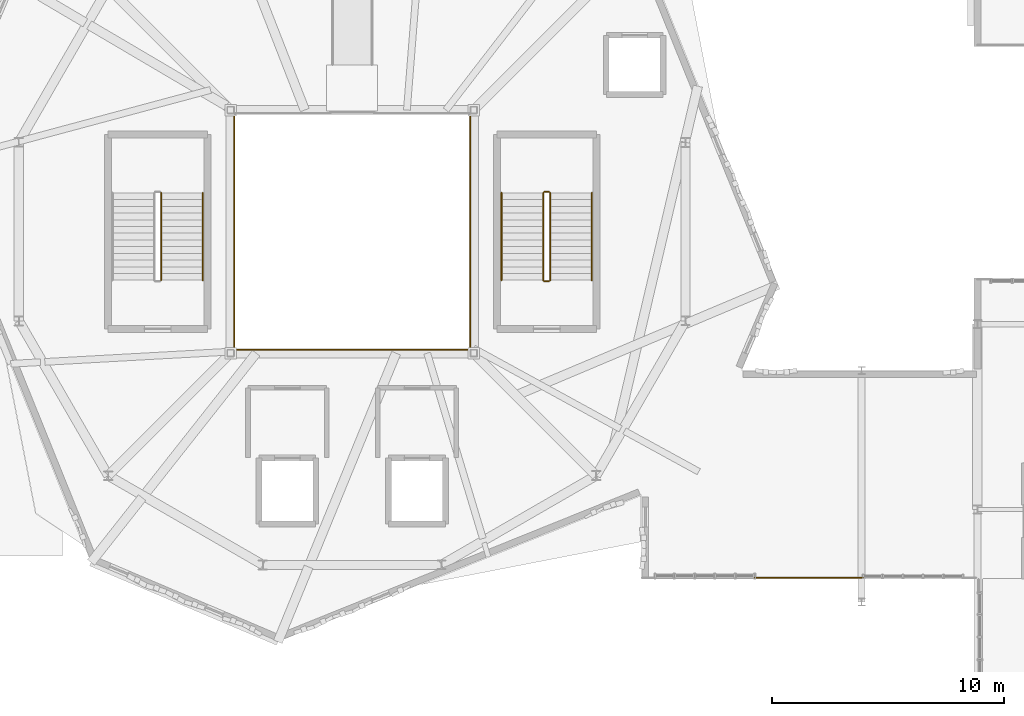
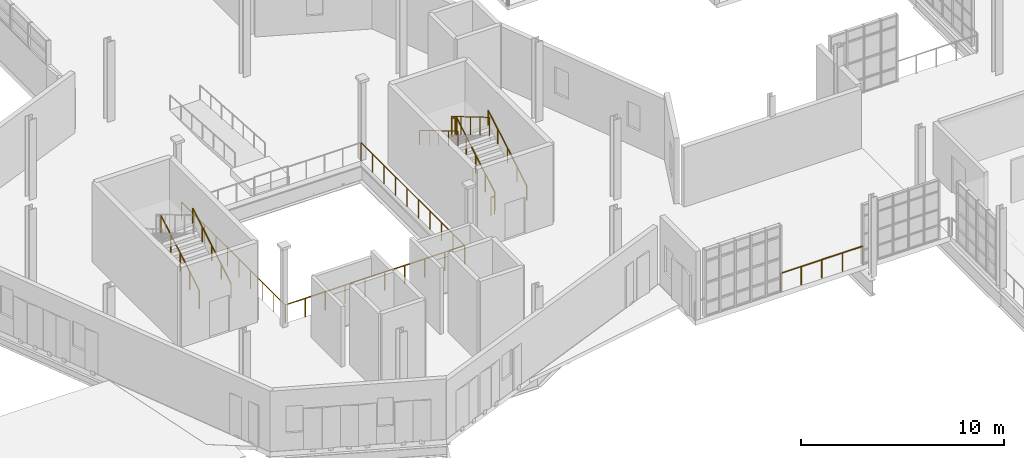
# One storey, part 114 of 122: 12 railings.
"""IFC4 building model written with IfcOpenShell, lengths in metres."""

from ifc_helpers import new_model, si_unit, direction, frame, origin, origin_2d, place, context, subcontext, project, spatial, circle, extrude, material, type_object, element, save


model = new_model("IFC4")

# Units and contexts
model_context = context("Model", 3, precision=1e-05, world=origin(), true_north=direction((0.0, 1.0)))
body_context = subcontext(model_context, "Body", "Model", "MODEL_VIEW")
ifc_project = project(units=[si_unit("LENGTHUNIT", "METRE"), si_unit("AREAUNIT", "SQUARE_METRE"), si_unit("VOLUMEUNIT", "CUBIC_METRE"), si_unit("PLANEANGLEUNIT", "RADIAN"), si_unit("MASSUNIT", "GRAM", prefix="KILO"), si_unit("THERMODYNAMICTEMPERATUREUNIT", "KELVIN"), si_unit("POWERUNIT", "WATT")], contexts=[model_context])

# Site, building, storey
site_placement = place(None, origin())
site = spatial("IfcSite", under=ifc_project, at=site_placement, CompositionType="ELEMENT")
building_placement = place(site_placement, origin())
building = spatial("IfcBuilding", under=site, at=building_placement, Name="Zelmaris Science Centre", CompositionType="ELEMENT")
storey_placement = place(building_placement, frame((0.0, 0.0, 10.800048828125)))
storey = spatial("IfcBuildingStorey", under=building, at=storey_placement, Name="L02", CompositionType="ELEMENT", Elevation=10.800048828125)

# Railings
ifc_material = material(Name="Architectural bronze alloy C28000")
railing_type_1 = type_object("IfcRailingType", Name="Balustrade GD-01 H1120", PredefinedType="BALUSTRADE", material=ifc_material)
railing_1_placement = place(storey_placement, frame((75.89990234375, 30.89990234375, 0.0)))
element("IfcRailing", 1, at=railing_1_placement, inside=storey, type_object=railing_type_1, Name="L02 Atrium void balustrade 10", PredefinedType="BALUSTRADE", context=body_context, shape_type="SweptSolid", body=[
    extrude(circle(Radius=0.02392578125, at=origin_2d()), frame((0.0, 0.0, 1.09619140625), z_axis=(1.0, 0.0, 0.0), x_axis=(0.0, 1.0, 0.0)), (0.0, 0.0, 1.0), 10.2001953125),
    extrude(circle(Radius=0.02099609375, at=origin_2d()), origin(), (0.0, 0.0, 1.0), 1.072021484375),
    extrude(circle(Radius=0.02099609375, at=origin_2d()), frame((1.13330078125, 0.0, 0.0)), (0.0, 0.0, 1.0), 1.072021484375),
    extrude(circle(Radius=0.02099609375, at=origin_2d()), frame((2.2666015625, 0.0, 0.0)), (0.0, 0.0, 1.0), 1.072021484375),
    extrude(circle(Radius=0.02099609375, at=origin_2d()), frame((3.400146484375, 0.0, 0.0)), (0.0, 0.0, 1.0), 1.072021484375),
    extrude(circle(Radius=0.02099609375, at=origin_2d()), frame((4.533447265625, 0.0, 0.0)), (0.0, 0.0, 1.0), 1.072021484375),
    extrude(circle(Radius=0.02099609375, at=origin_2d()), frame((5.666748046875, 0.0, 0.0)), (0.0, 0.0, 1.0), 1.072021484375),
    extrude(circle(Radius=0.02099609375, at=origin_2d()), frame((6.800048828125, 0.0, 0.0)), (0.0, 0.0, 1.0), 1.072021484375),
    extrude(circle(Radius=0.02099609375, at=origin_2d()), frame((7.93359375, 0.0, 0.0)), (0.0, 0.0, 1.0), 1.072021484375),
    extrude(circle(Radius=0.02099609375, at=origin_2d()), frame((9.06689453125, 0.0, 0.0)), (0.0, 0.0, 1.0), 1.072021484375),
    extrude(circle(Radius=0.02099609375, at=origin_2d()), frame((10.2001953125, 0.0, 0.0)), (0.0, 0.0, 1.0), 1.072021484375),
])
railing_2_placement = place(storey_placement, frame((86.10009765625, 30.89990234375, 0.0)))
element("IfcRailing", 2, at=railing_2_placement, inside=storey, type_object=railing_type_1, Name="L02 Atrium void balustrade 11", PredefinedType="BALUSTRADE", context=body_context, shape_type="SweptSolid", body=[
    extrude(circle(Radius=0.02392578125, at=origin_2d()), frame((0.0, 0.0, 1.09619140625), z_axis=(0.0, 1.0, 0.0), x_axis=(-1.0, 0.0, 0.0)), (0.0, 0.0, 1.0), 10.2001953125),
    extrude(circle(Radius=0.02099609375, at=origin_2d()), origin(), (0.0, 0.0, 1.0), 1.072021484375),
    extrude(circle(Radius=0.02099609375, at=origin_2d()), frame((0.0, 1.13330078125, 0.0)), (0.0, 0.0, 1.0), 1.072021484375),
    extrude(circle(Radius=0.02099609375, at=origin_2d()), frame((0.0, 2.2666015625, 0.0)), (0.0, 0.0, 1.0), 1.072021484375),
    extrude(circle(Radius=0.02099609375, at=origin_2d()), frame((0.0, 3.400146484375, 0.0)), (0.0, 0.0, 1.0), 1.072021484375),
    extrude(circle(Radius=0.02099609375, at=origin_2d()), frame((0.0, 4.533447265625, 0.0)), (0.0, 0.0, 1.0), 1.072021484375),
    extrude(circle(Radius=0.02099609375, at=origin_2d()), frame((0.0, 5.666748046875, 0.0)), (0.0, 0.0, 1.0), 1.072021484375),
    extrude(circle(Radius=0.02099609375, at=origin_2d()), frame((0.0, 6.800048828125, 0.0)), (0.0, 0.0, 1.0), 1.072021484375),
    extrude(circle(Radius=0.02099609375, at=origin_2d()), frame((0.0, 7.93359375, 0.0)), (0.0, 0.0, 1.0), 1.072021484375),
    extrude(circle(Radius=0.02099609375, at=origin_2d()), frame((0.0, 9.06689453125, 0.0)), (0.0, 0.0, 1.0), 1.072021484375),
    extrude(circle(Radius=0.02099609375, at=origin_2d()), frame((0.0, 10.2001953125, 0.0)), (0.0, 0.0, 1.0), 1.072021484375),
])
railing_3_placement = place(storey_placement, frame((75.89990234375, 41.10009765625, 0.0)))
element("IfcRailing", 3, at=railing_3_placement, inside=storey, type_object=railing_type_1, Name="L02 Atrium void balustrade 14", PredefinedType="BALUSTRADE", context=body_context, shape_type="SweptSolid", body=[
    extrude(circle(Radius=0.02392578125, at=origin_2d()), frame((0.0, 0.0, 1.09619140625), z_axis=(0.0, -1.0, 0.0), x_axis=(1.0, 0.0, 0.0)), (0.0, 0.0, 1.0), 10.2001953125),
    extrude(circle(Radius=0.02099609375, at=origin_2d()), origin(), (0.0, 0.0, 1.0), 1.072021484375),
    extrude(circle(Radius=0.02099609375, at=origin_2d()), frame((0.0, -1.13330078125, 0.0)), (0.0, 0.0, 1.0), 1.072021484375),
    extrude(circle(Radius=0.02099609375, at=origin_2d()), frame((0.0, -2.2666015625, 0.0)), (0.0, 0.0, 1.0), 1.072021484375),
    extrude(circle(Radius=0.02099609375, at=origin_2d()), frame((0.0, -3.400146484375, 0.0)), (0.0, 0.0, 1.0), 1.072021484375),
    extrude(circle(Radius=0.02099609375, at=origin_2d()), frame((0.0, -4.533447265625, 0.0)), (0.0, 0.0, 1.0), 1.072021484375),
    extrude(circle(Radius=0.02099609375, at=origin_2d()), frame((0.0, -5.666748046875, 0.0)), (0.0, 0.0, 1.0), 1.072021484375),
    extrude(circle(Radius=0.02099609375, at=origin_2d()), frame((0.0, -6.800048828125, 0.0)), (0.0, 0.0, 1.0), 1.072021484375),
    extrude(circle(Radius=0.02099609375, at=origin_2d()), frame((0.0, -7.93359375, 0.0)), (0.0, 0.0, 1.0), 1.072021484375),
    extrude(circle(Radius=0.02099609375, at=origin_2d()), frame((0.0, -9.06689453125, 0.0)), (0.0, 0.0, 1.0), 1.072021484375),
    extrude(circle(Radius=0.02099609375, at=origin_2d()), frame((0.0, -10.2001953125, 0.0)), (0.0, 0.0, 1.0), 1.072021484375),
])
railing_4_placement = place(storey_placement, frame((103.056640625, 21.06005859375, 0.0)))
element("IfcRailing", 4, at=railing_4_placement, inside=storey, type_object=railing_type_1, Name="L02 Perimeter safety balustrade 158", PredefinedType="BALUSTRADE", context=body_context, shape_type="SweptSolid", body=[
    extrude(circle(Radius=0.02392578125, at=origin_2d()), frame((0.0, 0.0, 1.09619140625), z_axis=(-1.0, 0.0, 0.0), x_axis=(0.0, -1.0, 0.0)), (0.0, 0.0, 1.0), 4.67333984375),
    extrude(circle(Radius=0.02099609375, at=origin_2d()), origin(), (0.0, 0.0, 1.0), 1.072021484375),
    extrude(circle(Radius=0.02099609375, at=origin_2d()), frame((-1.16845703125, 0.0, 0.0)), (0.0, 0.0, 1.0), 1.072021484375),
    extrude(circle(Radius=0.02099609375, at=origin_2d()), frame((-2.336669921875, 0.0, 0.0)), (0.0, 0.0, 1.0), 1.072021484375),
    extrude(circle(Radius=0.02099609375, at=origin_2d()), frame((-3.5048828125, 0.0, 0.0)), (0.0, 0.0, 1.0), 1.072021484375),
    extrude(circle(Radius=0.02099609375, at=origin_2d()), frame((-4.67333984375, 0.0, 0.0)), (0.0, 0.0, 1.0), 1.072021484375),
])
for number, where, name in (
    (5, (72.75, 33.89990234375, 0.17138671875), "L02 ST-1 stair guard 1"),
    (6, (89.550048828125, 33.89990234375, 0.17138671875), "L02 ST-2 stair guard 1"),
):
    element("IfcRailing", number, at=place(storey_placement, frame(where)), inside=storey, type_object=railing_type_1, Name=name, PredefinedType="BALUSTRADE", context=body_context, shape_type="SweptSolid", body=[
        extrude(circle(Radius=0.02392578125, at=origin_2d()), frame((0.0, 0.0, 1.076171875), z_axis=(0.0, 0.860848830602, 0.508860777473), x_axis=(-1.0, 0.0, 0.0)), (0.0, 0.0, 1.0), 4.37939453125),
        extrude(circle(Radius=0.02099609375, at=origin_2d()), origin(), (0.0, 0.0, 1.0), 1.052001953125),
        extrude(circle(Radius=0.02099609375, at=origin_2d()), frame((0.0, 0.9423828125, 0.55712890625)), (0.0, 0.0, 1.0), 1.052001953125),
        extrude(circle(Radius=0.02099609375, at=origin_2d()), frame((0.0, 1.885009765625, 1.1142578125)), (0.0, 0.0, 1.0), 1.052001953125),
        extrude(circle(Radius=0.02099609375, at=origin_2d()), frame((0.0, 2.82763671875, 1.67138671875)), (0.0, 0.0, 1.0), 1.052001953125),
        extrude(circle(Radius=0.02099609375, at=origin_2d()), frame((0.0, 3.77001953125, 2.228515625)), (0.0, 0.0, 1.0), 1.052001953125),
    ])
railing_5_placement = place(storey_placement, frame((89.5, 37.719970703125, 2.39990234375)))
element("IfcRailing", 7, at=railing_5_placement, inside=storey, type_object=railing_type_1, Name="L02 ST-2 stair guard 2", PredefinedType="BALUSTRADE", context=body_context, shape_type="SweptSolid", body=[
    extrude(circle(Radius=0.02392578125, at=origin_2d()), frame((0.0, 0.0, 1.076171875), z_axis=(-1.0, 0.0, 0.0), x_axis=(0.0, -1.0, 0.0)), (0.0, 0.0, 1.0), 0.199951171875),
    extrude(circle(Radius=0.02099609375, at=origin_2d()), origin(), (0.0, 0.0, 1.0), 1.052001953125),
    extrude(circle(Radius=0.02099609375, at=origin_2d()), frame((-0.199951171875, 0.0, 0.0)), (0.0, 0.0, 1.0), 1.052001953125),
])
railing_6_placement = place(storey_placement, frame((89.25, 37.669921875, 2.5712890625)))
element("IfcRailing", 8, at=railing_6_placement, inside=storey, type_object=railing_type_1, Name="L02 ST-2 stair guard 3", PredefinedType="BALUSTRADE", context=body_context, shape_type="SweptSolid", body=[
    extrude(circle(Radius=0.02392578125, at=origin_2d()), frame((0.0, 0.0, 1.076171875), z_axis=(0.0, -0.860824410104, 0.508902087802), x_axis=(1.0, 0.0, 0.0)), (0.0, 0.0, 1.0), 4.379638671875),
    extrude(circle(Radius=0.02099609375, at=origin_2d()), origin(), (0.0, 0.0, 1.0), 1.052001953125),
    extrude(circle(Radius=0.02099609375, at=origin_2d()), frame((0.0, -0.9423828125, 0.55712890625)), (0.0, 0.0, 1.0), 1.052001953125),
    extrude(circle(Radius=0.02099609375, at=origin_2d()), frame((0.0, -1.885009765625, 1.1142578125)), (0.0, 0.0, 1.0), 1.052001953125),
    extrude(circle(Radius=0.02099609375, at=origin_2d()), frame((0.0, -2.82763671875, 1.671630859375)), (0.0, 0.0, 1.0), 1.052001953125),
    extrude(circle(Radius=0.02099609375, at=origin_2d()), frame((0.0, -3.77001953125, 2.228759765625)), (0.0, 0.0, 1.0), 1.052001953125),
])
railing_7_placement = place(storey_placement, frame((89.5, 33.85009765625, 0.0)))
element("IfcRailing", 9, at=railing_7_placement, inside=storey, type_object=railing_type_1, Name="L02 ST-2 stair guard 4", PredefinedType="BALUSTRADE", context=body_context, shape_type="SweptSolid", body=[
    extrude(circle(Radius=0.02392578125, at=origin_2d()), frame((0.0, 0.0, 1.076171875), z_axis=(-1.0, 0.0, 0.0), x_axis=(0.0, -1.0, 0.0)), (0.0, 0.0, 1.0), 0.199951171875),
    extrude(circle(Radius=0.02099609375, at=origin_2d()), origin(), (0.0, 0.0, 1.0), 1.052001953125),
    extrude(circle(Radius=0.02099609375, at=origin_2d()), frame((-0.199951171875, 0.0, 0.0)), (0.0, 0.0, 1.0), 1.052001953125),
])
railing_type_2 = type_object("IfcRailingType", Name="Handrail HR-01 H900", PredefinedType="HANDRAIL", material=ifc_material)
for number, where, name in (
    (10, (74.550048828125, 33.89990234375, 0.17138671875), "L02 ST-1 stair handrail 1"),
    (11, (91.35009765625, 33.89990234375, 0.17138671875), "L02 ST-2 stair handrail 1"),
):
    element("IfcRailing", number, at=place(storey_placement, frame(where)), inside=storey, type_object=railing_type_2, Name=name, PredefinedType="HANDRAIL", context=body_context, shape_type="SweptSolid", body=[
        extrude(circle(Radius=0.02392578125, at=origin_2d()), frame((0.0, 0.0, 0.8759765625), z_axis=(0.0, 0.860848830602, 0.508860777473), x_axis=(-1.0, 0.0, 0.0)), (0.0, 0.0, 1.0), 4.37939453125),
        extrude(circle(Radius=0.02099609375, at=origin_2d()), origin(), (0.0, 0.0, 1.0), 0.851806640625),
        extrude(circle(Radius=0.02099609375, at=origin_2d()), frame((0.0, 0.9423828125, 0.55712890625)), (0.0, 0.0, 1.0), 0.851806640625),
        extrude(circle(Radius=0.02099609375, at=origin_2d()), frame((0.0, 1.885009765625, 1.1142578125)), (0.0, 0.0, 1.0), 0.851806640625),
        extrude(circle(Radius=0.02099609375, at=origin_2d()), frame((0.0, 2.82763671875, 1.67138671875)), (0.0, 0.0, 1.0), 0.851806640625),
        extrude(circle(Radius=0.02099609375, at=origin_2d()), frame((0.0, 3.77001953125, 2.228515625)), (0.0, 0.0, 1.0), 0.851806640625),
    ])
railing_8_placement = place(storey_placement, frame((87.449951171875, 37.669921875, 2.5712890625)))
element("IfcRailing", 12, at=railing_8_placement, inside=storey, type_object=railing_type_2, Name="L02 ST-2 stair handrail 2", PredefinedType="HANDRAIL", context=body_context, shape_type="SweptSolid", body=[
    extrude(circle(Radius=0.02392578125, at=origin_2d()), frame((0.0, 0.0, 0.8759765625), z_axis=(0.0, -0.860824410104, 0.508902087802), x_axis=(1.0, 0.0, 0.0)), (0.0, 0.0, 1.0), 4.379638671875),
    extrude(circle(Radius=0.02099609375, at=origin_2d()), origin(), (0.0, 0.0, 1.0), 0.851806640625),
    extrude(circle(Radius=0.02099609375, at=origin_2d()), frame((0.0, -0.9423828125, 0.55712890625)), (0.0, 0.0, 1.0), 0.851806640625),
    extrude(circle(Radius=0.02099609375, at=origin_2d()), frame((0.0, -1.885009765625, 1.1142578125)), (0.0, 0.0, 1.0), 0.851806640625),
    extrude(circle(Radius=0.02099609375, at=origin_2d()), frame((0.0, -2.82763671875, 1.671630859375)), (0.0, 0.0, 1.0), 0.851806640625),
    extrude(circle(Radius=0.02099609375, at=origin_2d()), frame((0.0, -3.77001953125, 2.228759765625)), (0.0, 0.0, 1.0), 0.851806640625),
])

save(model, "model.ifc")
